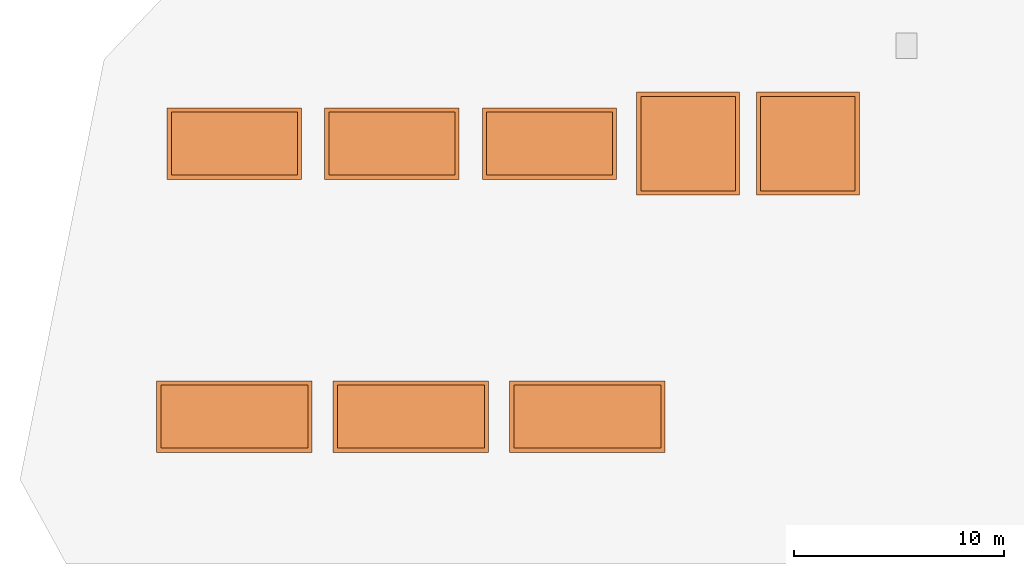
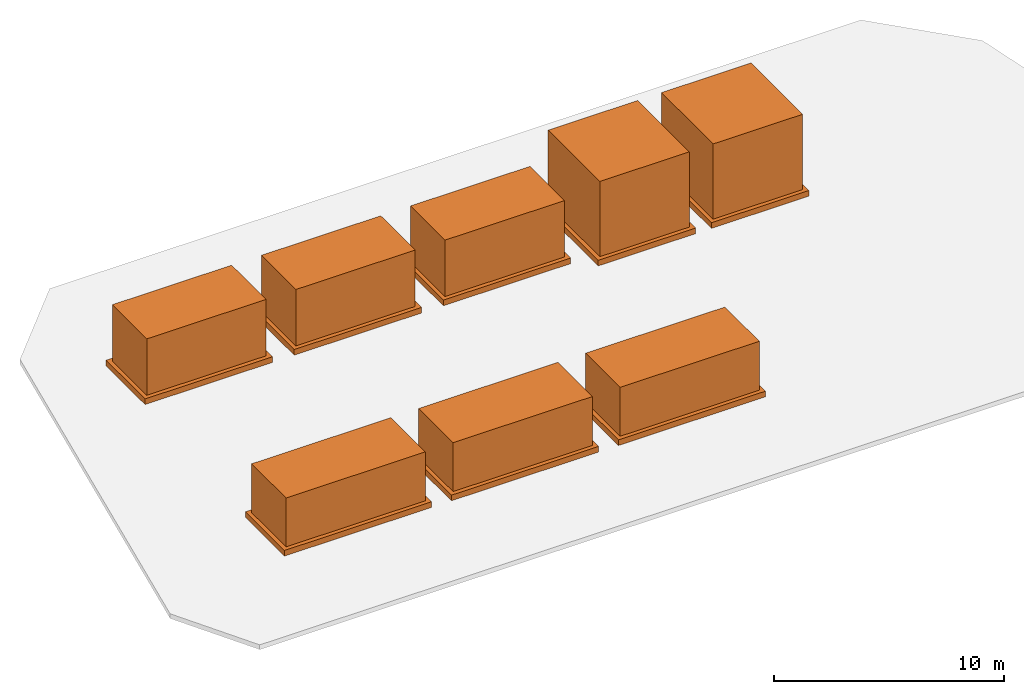
# One storey, part 2 of 2: 16 proxies.
"""IFC4 building model written with IfcOpenShell, lengths in metres."""

from ifc_helpers import new_model, si_unit, direction, frame, origin, origin_2d, place, context, subcontext, project, spatial, rectangle, extrude, material, type_object, element, save


model = new_model("IFC4")

# Units and contexts
model_context = context("Model", 3, precision=1e-05, world=origin(), true_north=direction((0.0, 1.0)))
body_context = subcontext(model_context, "Body", "Model", "MODEL_VIEW")
ifc_project = project(units=[si_unit("LENGTHUNIT", "METRE"), si_unit("AREAUNIT", "SQUARE_METRE"), si_unit("VOLUMEUNIT", "CUBIC_METRE"), si_unit("PLANEANGLEUNIT", "RADIAN"), si_unit("MASSUNIT", "GRAM", prefix="KILO")], contexts=[model_context])

# Site, building, storey
site_placement = place(None, origin())
site = spatial("IfcSite", under=ifc_project, at=site_placement, CompositionType="ELEMENT")
building_placement = place(site_placement, origin())
building = spatial("IfcBuilding", under=site, at=building_placement, Name="Isbrekke Arena Tower", CompositionType="ELEMENT")
storey_placement = place(building_placement, frame((0.0, 0.0, 330.0)))
storey = spatial("IfcBuildingStorey", under=building, at=storey_placement, Name="ROOF", CompositionType="ELEMENT", Elevation=330.0)

# Proxies
ifc_material_1 = material(Name="Galvanised steel", Category="steel")
building_element_proxy_type_1 = type_object("IfcBuildingElementProxyType", Name="MP1 DRY COOLER 7000 x 3000 x 2600", PredefinedType="USERDEFINED", material=ifc_material_1)
for number, where, z_axis, x_axis, name in (
    (1, (-18.0, 9.0, 0.300048828125), (0.0, 0.0, 1.0), (1.0, 0.0, 0.0), "MP1 Dry cooler DC1"),
    (2, (-9.60009765625, 9.0, 0.300048828125), (0.0, 0.0, 1.0), (1.0, 0.0, 0.0), "MP1 Dry cooler DC2"),
    (3, (-1.199951171875, 9.0, 0.300048828125), (0.0, 0.0, 1.0), (1.0, 0.0, 0.0), "MP1 Dry cooler DC3"),
):
    element("IfcBuildingElementProxy", number, at=place(storey_placement, frame(where, z_axis=z_axis, x_axis=x_axis)), inside=storey, type_object=building_element_proxy_type_1, Name=name, ObjectType="DRY COOLER", PredefinedType="USERDEFINED", context=body_context, shape_type="SweptSolid", body=[
        extrude(rectangle(XDim=7.0, YDim=3.0, at=origin_2d()), origin(), (0.0, 0.0, 1.0), 2.60009765625),
    ])
ifc_material_2 = material(Name="Galvanised steel", Category="steel")
building_element_proxy_type_2 = type_object("IfcBuildingElementProxyType", Name="MP2 AIR-HANDLING UNIT 6000 x 3000 x 3000", PredefinedType="USERDEFINED", material=ifc_material_2)
for number, where, z_axis, x_axis, name in (
    (4, (-18.0, 22.0, 0.300048828125), (0.0, 0.0, 1.0), (1.0, 0.0, 0.0), "MP2 Air-handling unit AHU1"),
    (5, (-10.5, 22.0, 0.300048828125), (0.0, 0.0, 1.0), (1.0, 0.0, 0.0), "MP2 Air-handling unit AHU2"),
    (6, (-3.0, 22.0, 0.300048828125), (0.0, 0.0, 1.0), (1.0, 0.0, 0.0), "MP2 Air-handling unit AHU3"),
):
    element("IfcBuildingElementProxy", number, at=place(storey_placement, frame(where, z_axis=z_axis, x_axis=x_axis)), inside=storey, type_object=building_element_proxy_type_2, Name=name, ObjectType="AIR-HANDLING UNIT", PredefinedType="USERDEFINED", context=body_context, shape_type="SweptSolid", body=[
        extrude(rectangle(XDim=6.0, YDim=3.0, at=origin_2d()), origin(), (0.0, 0.0, 1.0), 3.0),
    ])
ifc_material_3 = material(Name="Galvanised steel", Category="steel")
building_element_proxy_type_3 = type_object("IfcBuildingElementProxyType", Name="MP3 COOLING TOWER 4500 x 4500 x 4000", PredefinedType="USERDEFINED", material=ifc_material_3)
for number, where, z_axis, x_axis, name in (
    (7, (3.60009765625, 22.0, 0.300048828125), (0.0, 0.0, 1.0), (1.0, 0.0, 0.0), "MP3 Cooling tower CT1"),
    (8, (9.300048828125, 22.0, 0.300048828125), (0.0, 0.0, 1.0), (1.0, 0.0, 0.0), "MP3 Cooling tower CT2"),
):
    element("IfcBuildingElementProxy", number, at=place(storey_placement, frame(where, z_axis=z_axis, x_axis=x_axis)), inside=storey, type_object=building_element_proxy_type_3, Name=name, ObjectType="COOLING TOWER", PredefinedType="USERDEFINED", context=body_context, shape_type="SweptSolid", body=[
        extrude(rectangle(XDim=4.5, YDim=4.5, at=origin_2d()), origin(), (0.0, 0.0, 1.0), 4.0),
    ])
ifc_material_4 = material(Name="Steel S355", Category="steel")
building_element_proxy_type_4 = type_object("IfcBuildingElementProxyType", Name="MP4 PLANT PLINTH STEEL", PredefinedType="USERDEFINED", material=ifc_material_4)
for number, where, z_axis, x_axis, name in (
    (9, (-18.0, 9.0, 0.0), (0.0, 0.0, 1.0), (1.0, 0.0, 0.0), "MP4 plant plinth DC1"),
    (10, (-9.60009765625, 9.0, 0.0), (0.0, 0.0, 1.0), (1.0, 0.0, 0.0), "MP4 plant plinth DC2"),
    (11, (-1.199951171875, 9.0, 0.0), (0.0, 0.0, 1.0), (1.0, 0.0, 0.0), "MP4 plant plinth DC3"),
):
    element("IfcBuildingElementProxy", number, at=place(storey_placement, frame(where, z_axis=z_axis, x_axis=x_axis)), inside=storey, type_object=building_element_proxy_type_4, Name=name, ObjectType="PLANT PLINTH", PredefinedType="USERDEFINED", context=body_context, shape_type="SweptSolid", body=[
        extrude(rectangle(XDim=7.39990234375, YDim=3.39990234375, at=origin_2d()), origin(), (0.0, 0.0, 1.0), 0.300048828125),
    ])
for number, where, z_axis, x_axis, name in (
    (12, (-18.0, 22.0, 0.0), (0.0, 0.0, 1.0), (1.0, 0.0, 0.0), "MP4 plant plinth AHU1"),
    (13, (-10.5, 22.0, 0.0), (0.0, 0.0, 1.0), (1.0, 0.0, 0.0), "MP4 plant plinth AHU2"),
    (14, (-3.0, 22.0, 0.0), (0.0, 0.0, 1.0), (1.0, 0.0, 0.0), "MP4 plant plinth AHU3"),
):
    element("IfcBuildingElementProxy", number, at=place(storey_placement, frame(where, z_axis=z_axis, x_axis=x_axis)), inside=storey, type_object=building_element_proxy_type_4, Name=name, ObjectType="PLANT PLINTH", PredefinedType="USERDEFINED", context=body_context, shape_type="SweptSolid", body=[
        extrude(rectangle(XDim=6.39990234375, YDim=3.39990234375, at=origin_2d()), origin(), (0.0, 0.0, 1.0), 0.300048828125),
    ])
for number, where, z_axis, x_axis, name in (
    (15, (3.60009765625, 22.0, 0.0), (0.0, 0.0, 1.0), (1.0, 0.0, 0.0), "MP4 plant plinth CT1"),
    (16, (9.300048828125, 22.0, 0.0), (0.0, 0.0, 1.0), (1.0, 0.0, 0.0), "MP4 plant plinth CT2"),
):
    element("IfcBuildingElementProxy", number, at=place(storey_placement, frame(where, z_axis=z_axis, x_axis=x_axis)), inside=storey, type_object=building_element_proxy_type_4, Name=name, ObjectType="PLANT PLINTH", PredefinedType="USERDEFINED", context=body_context, shape_type="SweptSolid", body=[
        extrude(rectangle(XDim=4.89990234375, YDim=4.89990234375, at=origin_2d()), origin(), (0.0, 0.0, 1.0), 0.300048828125),
    ])

save(model, "model.ifc")
